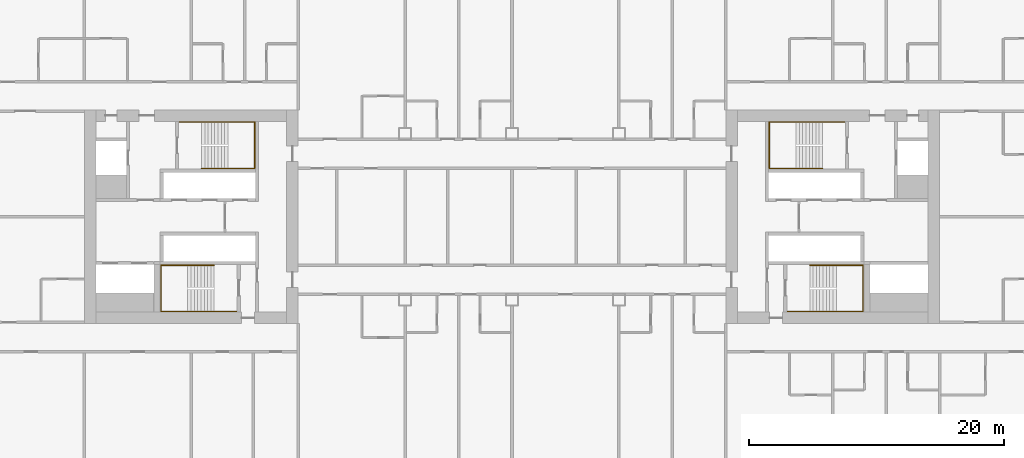
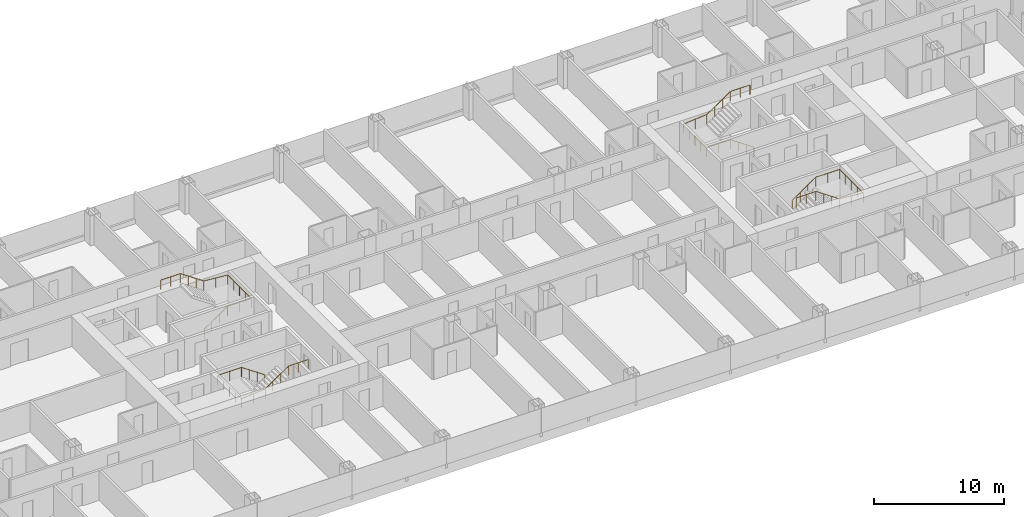
# One storey, part 28 of 28: 4 railings.
"""IFC4 building model written with IfcOpenShell, lengths in metres."""

from ifc_helpers import new_model, si_unit, direction, frame, origin, origin_2d, place, context, subcontext, project, spatial, circle, extrude, material, type_object, element, save


model = new_model("IFC4")

# Units and contexts
model_context = context("Model", 3, precision=1e-05, world=origin(), true_north=direction((0.0, 1.0)))
body_context = subcontext(model_context, "Body", "Model", "MODEL_VIEW")
ifc_project = project(units=[si_unit("LENGTHUNIT", "METRE"), si_unit("AREAUNIT", "SQUARE_METRE"), si_unit("VOLUMEUNIT", "CUBIC_METRE"), si_unit("PLANEANGLEUNIT", "RADIAN"), si_unit("MASSUNIT", "GRAM", prefix="KILO")], contexts=[model_context])

# Site, building, storey
site_placement = place(None, origin())
site = spatial("IfcSite", under=ifc_project, at=site_placement, CompositionType="ELEMENT")
building_placement = place(site_placement, origin())
building = spatial("IfcBuilding", under=site, at=building_placement, Name="Hakoniwa Tower and Hamabe Station Hall", CompositionType="ELEMENT")
storey_placement = place(building_placement, frame((0.0, 0.0, 58.199951171875)))
storey = spatial("IfcBuildingStorey", under=building, at=storey_placement, Name="L16", CompositionType="ELEMENT", Elevation=58.199951171875)

# Railings
ifc_material = material(Name="Stainless steel SUS304", Category="steel")
railing_type = type_object("IfcRailingType", Name="STAIR HANDRAIL 900", PredefinedType="HANDRAIL", material=ifc_material)
railing_1_placement = place(storey_placement, frame((-24.39990234375, 3.81005859375, 0.177734375)))
element("IfcRailing", 1, at=railing_1_placement, inside=storey, type_object=railing_type, Name="Handrail ST-1 L16 1", PredefinedType="HANDRAIL", context=body_context, shape_type="SweptSolid", body=[
    extrude(circle(Radius=0.02392578125, at=origin_2d()), frame((0.0, 0.0, 0.8759765625), z_axis=(0.825433201882, 0.0, 0.564499804456), x_axis=(0.0, 1.0, 0.0)), (0.0, 0.0, 1.0), 2.519775390625),
    extrude(circle(Radius=0.02392578125, at=origin_2d()), frame((2.079833984375, 0.0, 2.29833984375), z_axis=(1.0, 0.0, 0.0), x_axis=(0.0, 1.0, 0.0)), (0.0, 0.0, 1.0), 2.110107421875),
    extrude(circle(Radius=0.02392578125, at=origin_2d()), frame((4.18994140625, 0.0, 2.29833984375), z_axis=(0.0, 1.0, 0.0), x_axis=(-1.0, 0.0, 0.0)), (0.0, 0.0, 1.0), 3.6298828125),
    extrude(circle(Radius=0.02392578125, at=origin_2d()), frame((4.18994140625, 3.6298828125, 2.29833984375), z_axis=(-0.996471417081, 0.0, 0.083932800143), x_axis=(0.0, -1.0, 0.0)), (0.0, 0.0, 1.0), 2.11767578125),
    extrude(circle(Radius=0.02392578125, at=origin_2d()), frame((2.079833984375, 3.6298828125, 2.47607421875), z_axis=(-0.825478349766, 0.0, 0.564433781827), x_axis=(0.0, -1.0, 0.0)), (0.0, 0.0, 1.0), 2.51953125),
    extrude(circle(Radius=0.02392578125, at=origin_2d()), frame((0.0, 3.6298828125, 3.89794921875), z_axis=(-1.0, 0.0, 0.0), x_axis=(0.0, -1.0, 0.0)), (0.0, 0.0, 1.0), 1.739990234375),
    extrude(circle(Radius=0.02099609375, at=origin_2d()), origin(), (0.0, 0.0, 1.0), 0.851806640625),
    extrude(circle(Radius=0.02099609375, at=origin_2d()), frame((0.693359375, 0.0, 0.47412109375)), (0.0, 0.0, 1.0), 0.851806640625),
    extrude(circle(Radius=0.02099609375, at=origin_2d()), frame((1.386474609375, 0.0, 0.9482421875)), (0.0, 0.0, 1.0), 0.851806640625),
    extrude(circle(Radius=0.02099609375, at=origin_2d()), frame((2.079833984375, 0.0, 1.42236328125)), (0.0, 0.0, 1.0), 0.851806640625),
    extrude(circle(Radius=0.02099609375, at=origin_2d()), frame((3.134765625, 0.0, 1.42236328125)), (0.0, 0.0, 1.0), 0.851806640625),
    extrude(circle(Radius=0.02099609375, at=origin_2d()), frame((4.18994140625, 0.0, 1.42236328125)), (0.0, 0.0, 1.0), 0.851806640625),
    extrude(circle(Radius=0.02099609375, at=origin_2d()), frame((4.18994140625, 0.907470703125, 1.42236328125)), (0.0, 0.0, 1.0), 0.851806640625),
    extrude(circle(Radius=0.02099609375, at=origin_2d()), frame((4.18994140625, 1.81494140625, 1.42236328125)), (0.0, 0.0, 1.0), 0.851806640625),
    extrude(circle(Radius=0.02099609375, at=origin_2d()), frame((4.18994140625, 2.722412109375, 1.42236328125)), (0.0, 0.0, 1.0), 0.851806640625),
    extrude(circle(Radius=0.02099609375, at=origin_2d()), frame((4.18994140625, 3.6298828125, 1.42236328125)), (0.0, 0.0, 1.0), 0.851806640625),
    extrude(circle(Radius=0.02099609375, at=origin_2d()), frame((3.134765625, 3.6298828125, 1.51123046875)), (0.0, 0.0, 1.0), 0.851806640625),
    extrude(circle(Radius=0.02099609375, at=origin_2d()), frame((2.079833984375, 3.6298828125, 1.60009765625)), (0.0, 0.0, 1.0), 0.851806640625),
    extrude(circle(Radius=0.02099609375, at=origin_2d()), frame((1.386474609375, 3.6298828125, 2.07421875)), (0.0, 0.0, 1.0), 0.851806640625),
    extrude(circle(Radius=0.02099609375, at=origin_2d()), frame((0.693359375, 3.6298828125, 2.548095703125)), (0.0, 0.0, 1.0), 0.851806640625),
    extrude(circle(Radius=0.02099609375, at=origin_2d()), frame((0.0, 3.6298828125, 3.022216796875)), (0.0, 0.0, 1.0), 0.851806640625),
    extrude(circle(Radius=0.02099609375, at=origin_2d()), frame((-0.8701171875, 3.6298828125, 3.022216796875)), (0.0, 0.0, 1.0), 0.851806640625),
    extrude(circle(Radius=0.02099609375, at=origin_2d()), frame((-1.739990234375, 3.6298828125, 3.022216796875)), (0.0, 0.0, 1.0), 0.851806640625),
])
railing_2_placement = place(storey_placement, frame((-23.39990234375, -3.81005859375, 0.177734375)))
element("IfcRailing", 2, at=railing_2_placement, inside=storey, type_object=railing_type, Name="Handrail ST-2 L16 1", PredefinedType="HANDRAIL", context=body_context, shape_type="SweptSolid", body=[
    extrude(circle(Radius=0.02392578125, at=origin_2d()), frame((0.0, 0.0, 0.8759765625), z_axis=(-0.825464074169, 0.0, 0.564454659168), x_axis=(0.0, -1.0, 0.0)), (0.0, 0.0, 1.0), 2.519775390625),
    extrude(circle(Radius=0.02392578125, at=origin_2d()), frame((-2.080078125, 0.0, 2.29833984375), z_axis=(-1.0, 0.0, 0.0), x_axis=(0.0, -1.0, 0.0)), (0.0, 0.0, 1.0), 2.110107421875),
    extrude(circle(Radius=0.02392578125, at=origin_2d()), frame((-4.190185546875, 0.0, 2.29833984375), z_axis=(0.0, -1.0, 0.0), x_axis=(1.0, 0.0, 0.0)), (0.0, 0.0, 1.0), 3.6298828125),
    extrude(circle(Radius=0.02392578125, at=origin_2d()), frame((-4.190185546875, -3.6298828125, 2.29833984375), z_axis=(0.996471417081, 0.0, 0.083932800143), x_axis=(0.0, 1.0, 0.0)), (0.0, 0.0, 1.0), 2.11767578125),
    extrude(circle(Radius=0.02392578125, at=origin_2d()), frame((-2.080078125, -3.6298828125, 2.47607421875), z_axis=(0.82550921652, 0.0, 0.564388636881), x_axis=(0.0, 1.0, 0.0)), (0.0, 0.0, 1.0), 2.519775390625),
    extrude(circle(Radius=0.02392578125, at=origin_2d()), frame((0.0, -3.6298828125, 3.89794921875), z_axis=(1.0, 0.0, 0.0), x_axis=(0.0, 1.0, 0.0)), (0.0, 0.0, 1.0), 1.739990234375),
    extrude(circle(Radius=0.02099609375, at=origin_2d()), origin(), (0.0, 0.0, 1.0), 0.851806640625),
    extrude(circle(Radius=0.02099609375, at=origin_2d()), frame((-0.693359375, 0.0, 0.47412109375)), (0.0, 0.0, 1.0), 0.851806640625),
    extrude(circle(Radius=0.02099609375, at=origin_2d()), frame((-1.38671875, 0.0, 0.9482421875)), (0.0, 0.0, 1.0), 0.851806640625),
    extrude(circle(Radius=0.02099609375, at=origin_2d()), frame((-2.080078125, 0.0, 1.42236328125)), (0.0, 0.0, 1.0), 0.851806640625),
    extrude(circle(Radius=0.02099609375, at=origin_2d()), frame((-3.13525390625, 0.0, 1.42236328125)), (0.0, 0.0, 1.0), 0.851806640625),
    extrude(circle(Radius=0.02099609375, at=origin_2d()), frame((-4.190185546875, 0.0, 1.42236328125)), (0.0, 0.0, 1.0), 0.851806640625),
    extrude(circle(Radius=0.02099609375, at=origin_2d()), frame((-4.190185546875, -0.907470703125, 1.42236328125)), (0.0, 0.0, 1.0), 0.851806640625),
    extrude(circle(Radius=0.02099609375, at=origin_2d()), frame((-4.190185546875, -1.81494140625, 1.42236328125)), (0.0, 0.0, 1.0), 0.851806640625),
    extrude(circle(Radius=0.02099609375, at=origin_2d()), frame((-4.190185546875, -2.722412109375, 1.42236328125)), (0.0, 0.0, 1.0), 0.851806640625),
    extrude(circle(Radius=0.02099609375, at=origin_2d()), frame((-4.190185546875, -3.6298828125, 1.42236328125)), (0.0, 0.0, 1.0), 0.851806640625),
    extrude(circle(Radius=0.02099609375, at=origin_2d()), frame((-3.13525390625, -3.6298828125, 1.51123046875)), (0.0, 0.0, 1.0), 0.851806640625),
    extrude(circle(Radius=0.02099609375, at=origin_2d()), frame((-2.080078125, -3.6298828125, 1.60009765625)), (0.0, 0.0, 1.0), 0.851806640625),
    extrude(circle(Radius=0.02099609375, at=origin_2d()), frame((-1.38671875, -3.6298828125, 2.07421875)), (0.0, 0.0, 1.0), 0.851806640625),
    extrude(circle(Radius=0.02099609375, at=origin_2d()), frame((-0.693359375, -3.6298828125, 2.548095703125)), (0.0, 0.0, 1.0), 0.851806640625),
    extrude(circle(Radius=0.02099609375, at=origin_2d()), frame((0.0, -3.6298828125, 3.022216796875)), (0.0, 0.0, 1.0), 0.851806640625),
    extrude(circle(Radius=0.02099609375, at=origin_2d()), frame((0.8701171875, -3.6298828125, 3.022216796875)), (0.0, 0.0, 1.0), 0.851806640625),
    extrude(circle(Radius=0.02099609375, at=origin_2d()), frame((1.739990234375, -3.6298828125, 3.022216796875)), (0.0, 0.0, 1.0), 0.851806640625),
])
railing_3_placement = place(storey_placement, frame((24.39990234375, 3.81005859375, 0.177734375)))
element("IfcRailing", 3, at=railing_3_placement, inside=storey, type_object=railing_type, Name="Handrail ST-3 L16 1", PredefinedType="HANDRAIL", context=body_context, shape_type="SweptSolid", body=[
    extrude(circle(Radius=0.02392578125, at=origin_2d()), frame((0.0, 0.0, 0.8759765625), z_axis=(-0.825433201882, 0.0, 0.564499804456), x_axis=(0.0, -1.0, 0.0)), (0.0, 0.0, 1.0), 2.519775390625),
    extrude(circle(Radius=0.02392578125, at=origin_2d()), frame((-2.079833984375, 0.0, 2.29833984375), z_axis=(-1.0, 0.0, 0.0), x_axis=(0.0, -1.0, 0.0)), (0.0, 0.0, 1.0), 2.110107421875),
    extrude(circle(Radius=0.02392578125, at=origin_2d()), frame((-4.18994140625, 0.0, 2.29833984375), z_axis=(0.0, 1.0, 0.0), x_axis=(-1.0, 0.0, 0.0)), (0.0, 0.0, 1.0), 3.6298828125),
    extrude(circle(Radius=0.02392578125, at=origin_2d()), frame((-4.18994140625, 3.6298828125, 2.29833984375), z_axis=(0.996471417081, 0.0, 0.083932800143), x_axis=(0.0, 1.0, 0.0)), (0.0, 0.0, 1.0), 2.11767578125),
    extrude(circle(Radius=0.02392578125, at=origin_2d()), frame((-2.079833984375, 3.6298828125, 2.47607421875), z_axis=(0.825478349766, 0.0, 0.564433781827), x_axis=(0.0, 1.0, 0.0)), (0.0, 0.0, 1.0), 2.51953125),
    extrude(circle(Radius=0.02392578125, at=origin_2d()), frame((0.0, 3.6298828125, 3.89794921875), z_axis=(1.0, 0.0, 0.0), x_axis=(0.0, 1.0, 0.0)), (0.0, 0.0, 1.0), 1.739990234375),
    extrude(circle(Radius=0.02099609375, at=origin_2d()), origin(), (0.0, 0.0, 1.0), 0.851806640625),
    extrude(circle(Radius=0.02099609375, at=origin_2d()), frame((-0.693359375, 0.0, 0.47412109375)), (0.0, 0.0, 1.0), 0.851806640625),
    extrude(circle(Radius=0.02099609375, at=origin_2d()), frame((-1.386474609375, 0.0, 0.9482421875)), (0.0, 0.0, 1.0), 0.851806640625),
    extrude(circle(Radius=0.02099609375, at=origin_2d()), frame((-2.079833984375, 0.0, 1.42236328125)), (0.0, 0.0, 1.0), 0.851806640625),
    extrude(circle(Radius=0.02099609375, at=origin_2d()), frame((-3.134765625, 0.0, 1.42236328125)), (0.0, 0.0, 1.0), 0.851806640625),
    extrude(circle(Radius=0.02099609375, at=origin_2d()), frame((-4.18994140625, 0.0, 1.42236328125)), (0.0, 0.0, 1.0), 0.851806640625),
    extrude(circle(Radius=0.02099609375, at=origin_2d()), frame((-4.18994140625, 0.907470703125, 1.42236328125)), (0.0, 0.0, 1.0), 0.851806640625),
    extrude(circle(Radius=0.02099609375, at=origin_2d()), frame((-4.18994140625, 1.81494140625, 1.42236328125)), (0.0, 0.0, 1.0), 0.851806640625),
    extrude(circle(Radius=0.02099609375, at=origin_2d()), frame((-4.18994140625, 2.722412109375, 1.42236328125)), (0.0, 0.0, 1.0), 0.851806640625),
    extrude(circle(Radius=0.02099609375, at=origin_2d()), frame((-4.18994140625, 3.6298828125, 1.42236328125)), (0.0, 0.0, 1.0), 0.851806640625),
    extrude(circle(Radius=0.02099609375, at=origin_2d()), frame((-3.134765625, 3.6298828125, 1.51123046875)), (0.0, 0.0, 1.0), 0.851806640625),
    extrude(circle(Radius=0.02099609375, at=origin_2d()), frame((-2.079833984375, 3.6298828125, 1.60009765625)), (0.0, 0.0, 1.0), 0.851806640625),
    extrude(circle(Radius=0.02099609375, at=origin_2d()), frame((-1.386474609375, 3.6298828125, 2.07421875)), (0.0, 0.0, 1.0), 0.851806640625),
    extrude(circle(Radius=0.02099609375, at=origin_2d()), frame((-0.693359375, 3.6298828125, 2.548095703125)), (0.0, 0.0, 1.0), 0.851806640625),
    extrude(circle(Radius=0.02099609375, at=origin_2d()), frame((0.0, 3.6298828125, 3.022216796875)), (0.0, 0.0, 1.0), 0.851806640625),
    extrude(circle(Radius=0.02099609375, at=origin_2d()), frame((0.8701171875, 3.6298828125, 3.022216796875)), (0.0, 0.0, 1.0), 0.851806640625),
    extrude(circle(Radius=0.02099609375, at=origin_2d()), frame((1.739990234375, 3.6298828125, 3.022216796875)), (0.0, 0.0, 1.0), 0.851806640625),
])
railing_4_placement = place(storey_placement, frame((23.39990234375, -3.81005859375, 0.177734375)))
element("IfcRailing", 4, at=railing_4_placement, inside=storey, type_object=railing_type, Name="Handrail ST-4 L16 1", PredefinedType="HANDRAIL", context=body_context, shape_type="SweptSolid", body=[
    extrude(circle(Radius=0.02392578125, at=origin_2d()), frame((0.0, 0.0, 0.8759765625), z_axis=(0.825464074169, 0.0, 0.564454659168), x_axis=(0.0, 1.0, 0.0)), (0.0, 0.0, 1.0), 2.519775390625),
    extrude(circle(Radius=0.02392578125, at=origin_2d()), frame((2.080078125, 0.0, 2.29833984375), z_axis=(1.0, 0.0, 0.0), x_axis=(0.0, 1.0, 0.0)), (0.0, 0.0, 1.0), 2.110107421875),
    extrude(circle(Radius=0.02392578125, at=origin_2d()), frame((4.190185546875, 0.0, 2.29833984375), z_axis=(0.0, -1.0, 0.0), x_axis=(1.0, 0.0, 0.0)), (0.0, 0.0, 1.0), 3.6298828125),
    extrude(circle(Radius=0.02392578125, at=origin_2d()), frame((4.190185546875, -3.6298828125, 2.29833984375), z_axis=(-0.996471417081, 0.0, 0.083932800143), x_axis=(0.0, -1.0, 0.0)), (0.0, 0.0, 1.0), 2.11767578125),
    extrude(circle(Radius=0.02392578125, at=origin_2d()), frame((2.080078125, -3.6298828125, 2.47607421875), z_axis=(-0.82550921652, 0.0, 0.564388636881), x_axis=(0.0, -1.0, 0.0)), (0.0, 0.0, 1.0), 2.519775390625),
    extrude(circle(Radius=0.02392578125, at=origin_2d()), frame((0.0, -3.6298828125, 3.89794921875), z_axis=(-1.0, 0.0, 0.0), x_axis=(0.0, -1.0, 0.0)), (0.0, 0.0, 1.0), 1.739990234375),
    extrude(circle(Radius=0.02099609375, at=origin_2d()), origin(), (0.0, 0.0, 1.0), 0.851806640625),
    extrude(circle(Radius=0.02099609375, at=origin_2d()), frame((0.693359375, 0.0, 0.47412109375)), (0.0, 0.0, 1.0), 0.851806640625),
    extrude(circle(Radius=0.02099609375, at=origin_2d()), frame((1.38671875, 0.0, 0.9482421875)), (0.0, 0.0, 1.0), 0.851806640625),
    extrude(circle(Radius=0.02099609375, at=origin_2d()), frame((2.080078125, 0.0, 1.42236328125)), (0.0, 0.0, 1.0), 0.851806640625),
    extrude(circle(Radius=0.02099609375, at=origin_2d()), frame((3.13525390625, 0.0, 1.42236328125)), (0.0, 0.0, 1.0), 0.851806640625),
    extrude(circle(Radius=0.02099609375, at=origin_2d()), frame((4.190185546875, 0.0, 1.42236328125)), (0.0, 0.0, 1.0), 0.851806640625),
    extrude(circle(Radius=0.02099609375, at=origin_2d()), frame((4.190185546875, -0.907470703125, 1.42236328125)), (0.0, 0.0, 1.0), 0.851806640625),
    extrude(circle(Radius=0.02099609375, at=origin_2d()), frame((4.190185546875, -1.81494140625, 1.42236328125)), (0.0, 0.0, 1.0), 0.851806640625),
    extrude(circle(Radius=0.02099609375, at=origin_2d()), frame((4.190185546875, -2.722412109375, 1.42236328125)), (0.0, 0.0, 1.0), 0.851806640625),
    extrude(circle(Radius=0.02099609375, at=origin_2d()), frame((4.190185546875, -3.6298828125, 1.42236328125)), (0.0, 0.0, 1.0), 0.851806640625),
    extrude(circle(Radius=0.02099609375, at=origin_2d()), frame((3.13525390625, -3.6298828125, 1.51123046875)), (0.0, 0.0, 1.0), 0.851806640625),
    extrude(circle(Radius=0.02099609375, at=origin_2d()), frame((2.080078125, -3.6298828125, 1.60009765625)), (0.0, 0.0, 1.0), 0.851806640625),
    extrude(circle(Radius=0.02099609375, at=origin_2d()), frame((1.38671875, -3.6298828125, 2.07421875)), (0.0, 0.0, 1.0), 0.851806640625),
    extrude(circle(Radius=0.02099609375, at=origin_2d()), frame((0.693359375, -3.6298828125, 2.548095703125)), (0.0, 0.0, 1.0), 0.851806640625),
    extrude(circle(Radius=0.02099609375, at=origin_2d()), frame((0.0, -3.6298828125, 3.022216796875)), (0.0, 0.0, 1.0), 0.851806640625),
    extrude(circle(Radius=0.02099609375, at=origin_2d()), frame((-0.8701171875, -3.6298828125, 3.022216796875)), (0.0, 0.0, 1.0), 0.851806640625),
    extrude(circle(Radius=0.02099609375, at=origin_2d()), frame((-1.739990234375, -3.6298828125, 3.022216796875)), (0.0, 0.0, 1.0), 0.851806640625),
])

save(model, "model.ifc")
